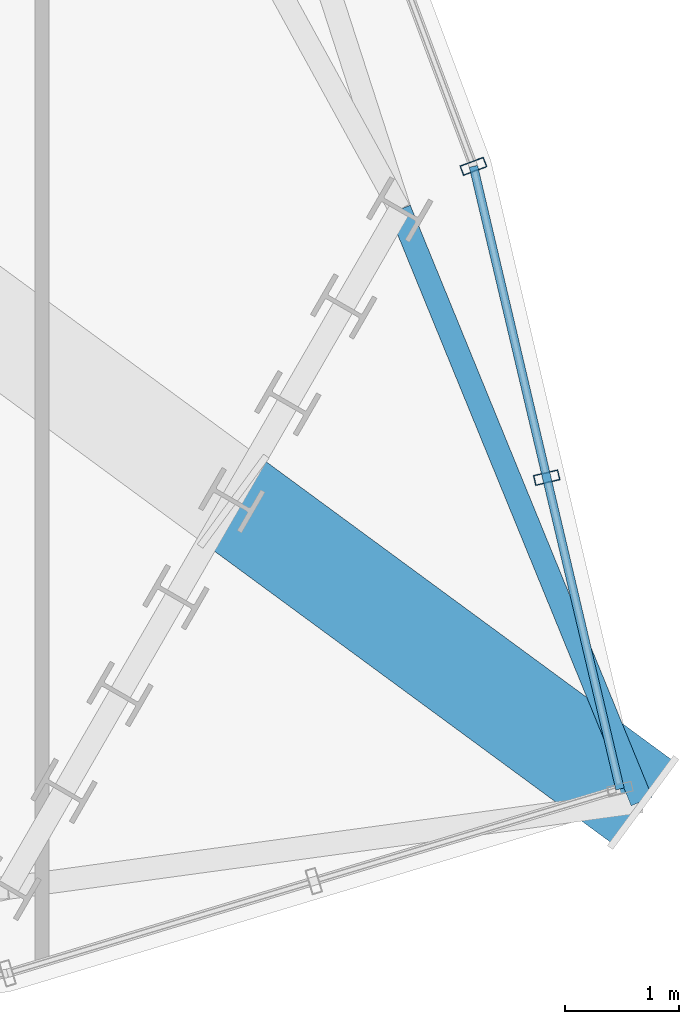
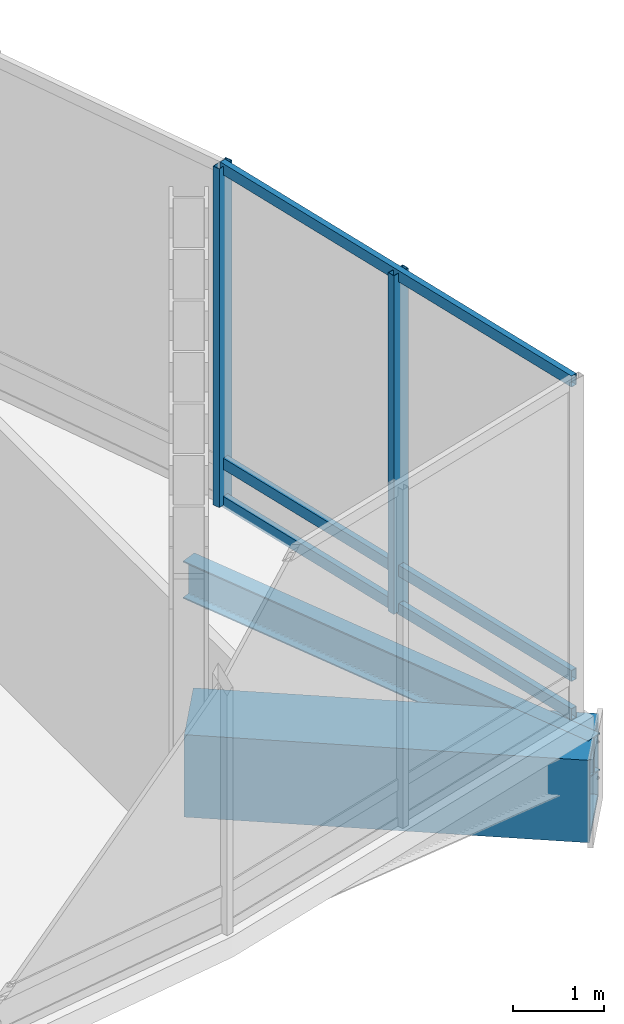
# One storey, part 11 of 29: 5 members, 2 beams, 2 elements without a shape of their own.
"""IFC4 building model written with IfcOpenShell, lengths in metres."""

from ifc_helpers import new_model, si_unit, direction, frame, origin, origin_2d, place, context, subcontext, project, spatial, hollow_rectangle, i_section, extrude, material, layer, layer_set, material_profile, profile_set, type_object, element, aggregate, save


model = new_model("IFC4")

# Units and contexts
model_context = context("Model", 3, precision=1e-05, world=origin(), true_north=direction((0.0, 1.0)))
body_context = subcontext(model_context, "Body", "Model", "MODEL_VIEW")
ifc_project = project(units=[si_unit("LENGTHUNIT", "METRE"), si_unit("AREAUNIT", "SQUARE_METRE"), si_unit("VOLUMEUNIT", "CUBIC_METRE"), si_unit("PLANEANGLEUNIT", "RADIAN"), si_unit("MASSUNIT", "GRAM", prefix="KILO")], contexts=[model_context])

# Site, building, storey
site_placement = place(None, origin())
site = spatial("IfcSite", under=ifc_project, at=site_placement, CompositionType="ELEMENT")
building_placement = place(site_placement, origin())
building = spatial("IfcBuilding", under=site, at=building_placement, Name="Ndaravel Arena Tower", CompositionType="ELEMENT")
storey_placement = place(building_placement, frame((0.0, 0.0, 208.39990234375)))
storey = spatial("IfcBuildingStorey", under=building, at=storey_placement, Name="L50", CompositionType="ELEMENT", Elevation=208.39990234375)

# Beams
ifc_material_1 = material(Name="Steel S355", Category="steel")
ifc_material_profile_1 = material_profile(ifc_material_1, i_section(OverallWidth=0.199951171875, OverallDepth=0.5, WebThickness=0.01025390625, FlangeThickness=0.01611328125, FilletRadius=0.02099609375, at=origin_2d()), Name="IPE 500")
ifc_profile_set_1 = profile_set([ifc_material_profile_1], Name="Steel S355")
beam_type_1 = type_object("IfcBeamType", Name="BM-SPAN-IPE500", PredefinedType="SPANDREL", material=ifc_profile_set_1)
beam_1_placement = place(storey_placement, frame((66.94921875, 6.661376953125, -0.52978515625), z_axis=(-0.378441133594, 0.925625360718, 0.0), x_axis=(-0.925625360718, -0.378441133594, 0.0)))
element("IfcBeam", 1, at=beam_1_placement, inside=storey, type_object=beam_type_1, Name="L50 Star Facet Edge Beam SEB-3", PredefinedType="SPANDREL", context=body_context, shape_type="SweptSolid", body=[
    extrude(i_section(OverallWidth=0.199951171875, OverallDepth=0.5, WebThickness=0.01025390625, FlangeThickness=0.01611328125, FilletRadius=0.02099609375, at=origin_2d()), origin(), (0.0, 0.0, 1.0), 5.603515625),
])
ifc_material_2 = material(Name="Steel S460", Category="steel")
ifc_material_profile_2 = material_profile(ifc_material_2, hollow_rectangle(XDim=0.89990234375, YDim=1.10009765625, WallThickness=0.06494140625, at=origin_2d()), Name="BOX 1100x900x65")
ifc_profile_set_2 = profile_set([ifc_material_profile_2], Name="Steel S460")
beam_type_2 = type_object("IfcBeamType", Name="BM-STAR-BOX1100", PredefinedType="BEAM", material=ifc_profile_set_2)
beam_2_placement = place(storey_placement, frame((63.35791015625, 9.30078125, -0.829833984375), z_axis=(0.805786322217, -0.592206385417, 0.0), x_axis=(0.592206385417, 0.805786322217, 0.0)))
element("IfcBeam", 2, at=beam_2_placement, inside=storey, type_object=beam_type_2, Name="L50 Star Cantilever Tip Girder SCG-3", PredefinedType="BEAM", context=body_context, shape_type="SweptSolid", body=[
    extrude(hollow_rectangle(XDim=0.89990234375, YDim=1.10009765625, WallThickness=0.06494140625, at=origin_2d()), origin(), (0.0, 0.0, 1.0), 4.456787109375),
])

# Curtain wall, member
ifc_material_3 = material(Name="Aluminium", Category="aluminium")
ifc_layer = layer(ifc_material_3, 0.179931640625)
ifc_layer_set = layer_set([ifc_layer], Name="Aluminium")
curtain_wall_type = type_object("IfcCurtainWallType", Name="CW-SYS-04", PredefinedType="NOTDEFINED", material=ifc_layer_set)
curtain_wall_1_placement = place(storey_placement, origin())
curtain_wall_1 = element("IfcCurtainWall", 3, at=curtain_wall_1_placement, inside=storey, type_object=curtain_wall_type, Name="L50 Faceted Crystal Curtain Wall CW-L50-E05", PredefinedType="NOTDEFINED")
ifc_material_4 = material(Name="Aluminium", Category="aluminium")
ifc_material_profile_3 = material_profile(ifc_material_4, hollow_rectangle(XDim=0.090087890625, YDim=0.219970703125, WallThickness=0.0048828125, at=origin_2d()), Name="CW MULLION 90x220x5")
ifc_profile_set_3 = profile_set([ifc_material_profile_3], Name="Aluminium")
member_type_1 = type_object("IfcMemberType", Name="MEM-CW-MUL220", PredefinedType="MULLION", material=ifc_profile_set_3)
member_1_placement = place(storey_placement, frame((66.11669921875, 9.49853515625, 0.0), z_axis=(0.0, 0.0, 1.0), x_axis=(-0.22921737956, 0.973375258011, 0.0)))
member_1 = element("IfcMember", 4, at=member_1_placement, type_object=member_type_1, Name="CW-L50-E05 Mullion 01", PredefinedType="MULLION", context=body_context, shape_type="SweptSolid", body=[
    extrude(hollow_rectangle(XDim=0.090087890625, YDim=0.219970703125, WallThickness=0.0048828125, at=origin_2d()), origin(), (0.0, 0.0, 1.0), 4.52001953125),
])

curtain_wall_2_placement = place(storey_placement, origin())
curtain_wall_2 = element("IfcCurtainWall", 5, at=curtain_wall_2_placement, inside=storey, type_object=curtain_wall_type, Name="L50 Faceted Crystal Curtain Wall CW-L50-E06", PredefinedType="NOTDEFINED")
member_2_placement = place(storey_placement, frame((65.474609375, 12.22607421875, 0.0), z_axis=(0.0, 0.0, 1.0), x_axis=(-0.350272772461, 0.936647737878, 0.0)))
member_2 = element("IfcMember", 6, at=member_2_placement, type_object=member_type_1, Name="CW-L50-E06 Mullion 00", PredefinedType="MULLION", context=body_context, shape_type="SweptSolid", body=[
    extrude(hollow_rectangle(XDim=0.090087890625, YDim=0.219970703125, WallThickness=0.0048828125, at=origin_2d()), origin(), (0.0, 0.0, 1.0), 4.52001953125),
])
aggregate(curtain_wall_2, [member_2])

# Member
ifc_material_5 = material(Name="Aluminium", Category="aluminium")
ifc_material_profile_4 = material_profile(ifc_material_5, hollow_rectangle(XDim=0.074951171875, YDim=0.14990234375, WallThickness=0.00390625, at=origin_2d()), Name="CW TRANSOM 75x150x4")
ifc_profile_set_4 = profile_set([ifc_material_profile_4], Name="Aluminium")
member_type_2 = type_object("IfcMemberType", Name="MEM-CW-TRN150", PredefinedType="USERDEFINED", material=ifc_profile_set_4)
member_3_placement = place(storey_placement, frame((66.759033203125, 6.77099609375, 0.0400390625), z_axis=(-0.229187446892, 0.973382306284, 0.0), x_axis=(-0.973382306284, -0.229187446892, 0.0)))
member_3 = element("IfcMember", 7, at=member_3_placement, type_object=member_type_2, Name="CW-L50-E05 Transom 01", ObjectType="TRANSOM", PredefinedType="USERDEFINED", context=body_context, shape_type="SweptSolid", body=[
    extrude(hollow_rectangle(XDim=0.074951171875, YDim=0.14990234375, WallThickness=0.00390625, at=origin_2d()), origin(), (0.0, 0.0, 1.0), 5.604248046875),
])

member_4_placement = place(storey_placement, frame((66.759033203125, 6.77099609375, 0.550048828125), z_axis=(-0.229187446892, 0.973382306284, 0.0), x_axis=(-0.973382306284, -0.229187446892, 0.0)))
member_4 = element("IfcMember", 8, at=member_4_placement, type_object=member_type_2, Name="CW-L50-E05 Transom 02", ObjectType="TRANSOM", PredefinedType="USERDEFINED", context=body_context, shape_type="SweptSolid", body=[
    extrude(hollow_rectangle(XDim=0.074951171875, YDim=0.14990234375, WallThickness=0.00390625, at=origin_2d()), origin(), (0.0, 0.0, 1.0), 5.604248046875),
])

member_5_placement = place(storey_placement, frame((66.759033203125, 6.77099609375, 4.47998046875), z_axis=(-0.229187446892, 0.973382306284, 0.0), x_axis=(-0.973382306284, -0.229187446892, 0.0)))
member_5 = element("IfcMember", 9, at=member_5_placement, type_object=member_type_2, Name="CW-L50-E05 Transom 03", ObjectType="TRANSOM", PredefinedType="USERDEFINED", context=body_context, shape_type="SweptSolid", body=[
    extrude(hollow_rectangle(XDim=0.074951171875, YDim=0.14990234375, WallThickness=0.00390625, at=origin_2d()), origin(), (0.0, 0.0, 1.0), 5.604248046875),
])

aggregate(curtain_wall_1, [member_1, member_3, member_4, member_5])

save(model, "model.ifc")
